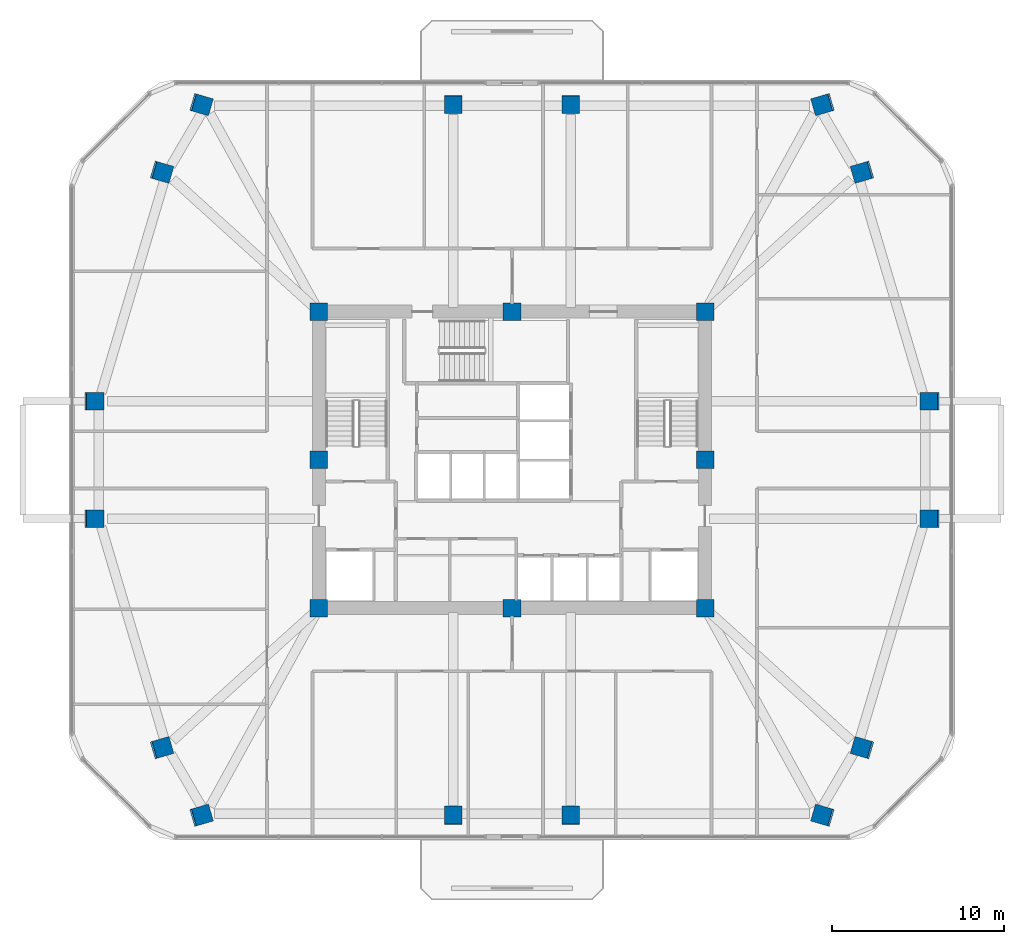
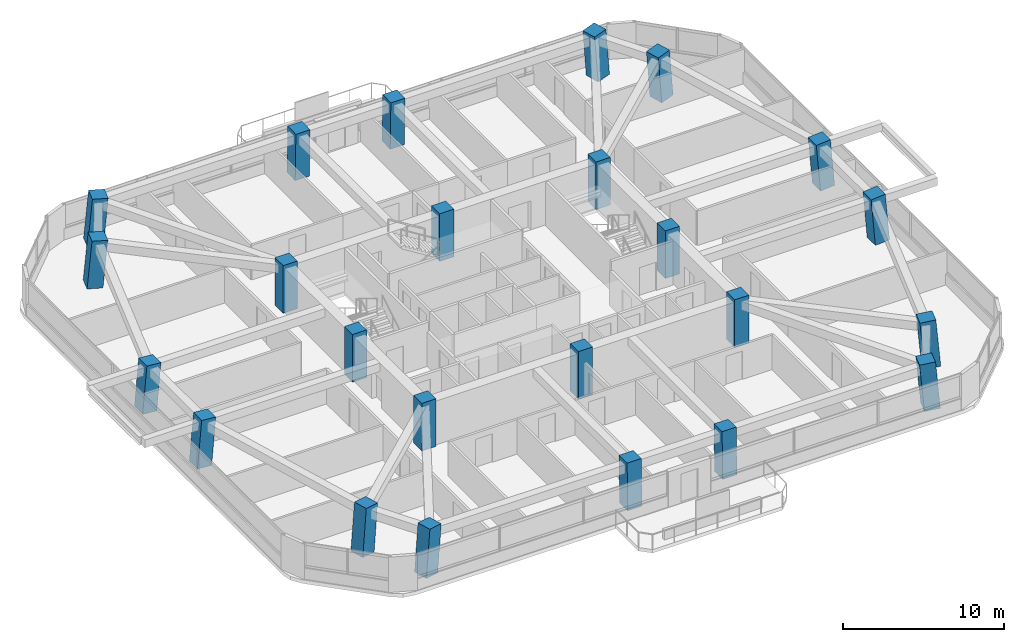
# One storey, part 1 of 13: 24 columns.
"""IFC4 building model written with IfcOpenShell, lengths in metres."""

import ifcopenshell
import ifcopenshell.guid

model = None  # the IFC model being written
_history = None  # IfcOwnerHistory: only IFC2X3 demands one
_inside = {}  # id of a spatial element -> (the spatial element, [elements in it])
_under = {}  # id of a project, library or spatial element -> (it, [spatial elements below it])
_declared = {}  # id of a project -> (the project, [libraries it declares])
_typed = {}  # id of a type object -> (the type object, [elements of that type])
_made_of = {}  # id of a material, layer set ... -> (it, [elements and type objects made of it])


def new_model(schema):
    """Start an empty IFC model of exactly this schema.

    Asked for "IFC4X3", IfcOpenShell would pick the latest addendum, in which some entities
    have other attributes; the version numbers below select the first issue.
    IFC2X3 requires an IfcOwnerHistory on every rooted entity: one is made here for all.
    """
    global model, _history
    if schema == "IFC4X3":
        model = ifcopenshell.file(schema_version=(4, 3, 0, 0))
    else:
        model = ifcopenshell.file(schema=schema)
    _inside.clear()
    _under.clear()
    _declared.clear()
    _typed.clear()
    _made_of.clear()
    _history = None
    if model.schema == "IFC2X3":
        org = make("IfcOrganization", Name="unknown")
        user = make(
            "IfcPersonAndOrganization",
            ThePerson=make("IfcPerson", FamilyName="unknown"),
            TheOrganization=org,
        )
        app = make(
            "IfcApplication",
            ApplicationDeveloper=org,
            Version="unknown",
            ApplicationFullName="unknown",
            ApplicationIdentifier="unknown",
        )
        _history = make(
            "IfcOwnerHistory",
            OwningUser=user,
            OwningApplication=app,
            ChangeAction="ADDED",
            CreationDate=0,
        )
    return model


def make(cls, **values):
    """One entity of the class cls with the attributes given. An attribute that is None is left unset."""
    return model.create_entity(
        cls, **{name: value for name, value in values.items() if value is not None}
    )


def rooted(cls, **values):
    """An entity with a GlobalId (a new one), such as an element, a storey or a relation."""
    return make(cls, GlobalId=ifcopenshell.guid.new(), OwnerHistory=_history, **values)


def si_unit(unit_type, name, prefix=None):
    """IfcSIUnit, for example si_unit("LENGTHUNIT", "METRE", prefix="MILLI")."""
    return make("IfcSIUnit", UnitType=unit_type, Prefix=prefix, Name=name)


def derived_unit(unit_type, elements):
    """IfcDerivedUnit: a product of units, each with its exponent."""
    return make(
        "IfcDerivedUnit",
        Elements=[
            make("IfcDerivedUnitElement", Unit=unit, Exponent=power)
            for unit, power in elements
        ],
        UnitType=unit_type,
    )


def assignment(units):
    """IfcUnitAssignment: the units of a project."""
    return None if units is None else make("IfcUnitAssignment", Units=units)


def point(xyz):
    """IfcCartesianPoint."""
    return None if xyz is None else make("IfcCartesianPoint", Coordinates=xyz)


def direction(xyz):
    """IfcDirection."""
    return None if xyz is None else make("IfcDirection", DirectionRatios=xyz)


def frame(location, z_axis=None, x_axis=None):
    """IfcAxis2Placement3D, a coordinate frame: its origin and axes. An axis left out is left unset."""
    return make(
        "IfcAxis2Placement3D",
        Location=point(location),
        Axis=direction(z_axis),
        RefDirection=direction(x_axis),
    )


def frame_2d(location, x_axis=None):
    """IfcAxis2Placement2D, a coordinate frame in the plane: its origin and x axis."""
    return make(
        "IfcAxis2Placement2D", Location=point(location), RefDirection=direction(x_axis)
    )


def origin():
    """The frame at (0, 0, 0) with its axes left unset."""
    return frame((0.0, 0.0, 0.0))


def origin_2d():
    """The frame at (0, 0) in the plane with its x axis left unset."""
    return frame_2d((0.0, 0.0))


def place(relative_to, where):
    """IfcLocalPlacement: puts the frame where relative to a parent placement (None: the world)."""
    return make(
        "IfcLocalPlacement", PlacementRelTo=relative_to, RelativePlacement=where
    )


def context(
    kind, dimensions, precision=None, world=None, true_north=None, identifier=None
):
    """IfcGeometricRepresentationContext, for example the 3D "Model" context."""
    return make(
        "IfcGeometricRepresentationContext",
        ContextIdentifier=identifier,
        ContextType=kind,
        CoordinateSpaceDimension=dimensions,
        Precision=precision,
        WorldCoordinateSystem=world,
        TrueNorth=true_north,
    )


def subcontext(parent, identifier, kind, view, scale=None):
    """IfcGeometricRepresentationSubContext, for example "Body" below "Model"."""
    return make(
        "IfcGeometricRepresentationSubContext",
        ContextIdentifier=identifier,
        ContextType=kind,
        ParentContext=parent,
        TargetScale=scale,
        TargetView=view,
    )


def project(units=None, contexts=None):
    """IfcProject with its units and contexts."""
    return rooted(
        "IfcProject",
        Name="project",
        RepresentationContexts=contexts,
        UnitsInContext=assignment(units),
    )


def spatial(cls, under=None, at=None, **own):
    """A site, building, storey or space (cls), placed at a placement, below another one or the project."""
    s = rooted(cls, ObjectPlacement=at, **own)
    if under is not None:
        _under.setdefault(under.id(), (under, []))[1].append(s)
    return s


def profile(cls, at=None, kind="AREA", **sizes):
    """A parametric profile (cls). Its sizes go by their IFC names, for example OverallWidth=200.0."""
    return make(cls, ProfileType=kind, Position=at, **sizes)


def rectangle(**sizes):
    """IfcRectangleProfileDef."""
    return profile("IfcRectangleProfileDef", **sizes)


def extrude(swept, where, along, depth):
    """IfcExtrudedAreaSolid: the profile swept, set in the frame where, extruded along a direction by depth."""
    return make(
        "IfcExtrudedAreaSolid",
        SweptArea=swept,
        Position=where,
        ExtrudedDirection=direction(along),
        Depth=depth,
    )


def shape(context_of_items, identifier, shape_type, items):
    """IfcShapeRepresentation: the items that make up one representation, for example the "Body"."""
    return make(
        "IfcShapeRepresentation",
        ContextOfItems=context_of_items,
        RepresentationIdentifier=identifier,
        RepresentationType=shape_type,
        Items=items,
    )


def material(Name=None, Category=None):
    """IfcMaterial."""
    return make("IfcMaterial", Name=Name, Category=Category)


def material_profile(
    of_material, cross_section, Name=None, Category=None, Priority=None
):
    """IfcMaterialProfile: a cross section and its material."""
    return make(
        "IfcMaterialProfile",
        Name=Name,
        Material=of_material,
        Profile=cross_section,
        Priority=Priority,
        Category=Category,
    )


def profile_set(profiles, Name=None, composite=None):
    """IfcMaterialProfileSet."""
    return make(
        "IfcMaterialProfileSet",
        Name=Name,
        MaterialProfiles=profiles,
        CompositeProfile=composite,
    )


def made_of(thing, what):
    """Note that an element or type object is made of a material, layer set ...; save() writes the relation."""
    if what is not None:
        _made_of.setdefault(what.id(), (what, []))[1].append(thing)
    return thing


def type_object(cls, material=None, **own):
    """A type object (cls), such as IfcWallType, which elements share."""
    return made_of(rooted(cls, **own), material)


def element(
    cls,
    number,
    at=None,
    inside=None,
    cuts=None,
    type_object=None,
    material=None,
    context=None,
    identifier="Body",
    shape_type=None,
    held_by="IfcProductDefinitionShape",
    body=None,
    shapes=None,
    **own,
):
    """One element of the class cls, such as IfcWall. Its Tag is "e" and its number.

    at: its placement. inside: the storey or other place that contains it. cuts: it is an
    opening in that element (IfcRelVoidsElement). A single representation is given by context,
    identifier, shape_type and body (its items); several are given by shapes. held_by: the class
    of the entity that holds the representations. save() writes the other relations.
    """
    e = rooted(cls, Tag="e%d" % number, ObjectPlacement=at, **own)
    if body is not None:
        shapes = [shape(context, identifier, shape_type, body)]
    if shapes is not None:
        e.Representation = make(held_by, Representations=shapes)
    if inside is not None:
        _inside.setdefault(inside.id(), (inside, []))[1].append(e)
    if cuts is not None:
        rooted(
            "IfcRelVoidsElement", RelatingBuildingElement=cuts, RelatedOpeningElement=e
        )
    if type_object is not None:
        _typed.setdefault(type_object.id(), (type_object, []))[1].append(e)
    return made_of(e, material)


def aggregate(whole, parts):
    """IfcRelAggregates: a whole, such as a stair, and the parts it consists of."""
    return rooted("IfcRelAggregates", RelatingObject=whole, RelatedObjects=parts)


def save(model, path):
    """Write the relations noted so far, then the file.

    IfcRelAggregates (storeys below a building ...), IfcRelContainedInSpatialStructure (elements
    in a storey), IfcRelDefinesByType, IfcRelAssociatesMaterial and IfcRelDeclares: one each for
    every whole, place, type object, material and project.
    """
    for whole, parts in _under.values():
        aggregate(whole, parts)
    for where, things in _inside.values():
        rooted(
            "IfcRelContainedInSpatialStructure",
            RelatedElements=things,
            RelatingStructure=where,
        )
    for kind, things in _typed.values():
        rooted("IfcRelDefinesByType", RelatedObjects=things, RelatingType=kind)
    for what, things in _made_of.values():
        rooted("IfcRelAssociatesMaterial", RelatedObjects=things, RelatingMaterial=what)
    for by, libraries in _declared.values():
        rooted("IfcRelDeclares", RelatingContext=by, RelatedDefinitions=libraries)
    model.write(path)


model = new_model("IFC4")

# Units and contexts
model_context = context("Model", 3, precision=1e-05, world=origin(), true_north=direction((0.0, 1.0)))
body_context = subcontext(model_context, "Body", "Model", "MODEL_VIEW")
ifc_project = project(units=[si_unit("LENGTHUNIT", "METRE"), si_unit("AREAUNIT", "SQUARE_METRE"), si_unit("VOLUMEUNIT", "CUBIC_METRE"), si_unit("PLANEANGLEUNIT", "RADIAN"), si_unit("MASSUNIT", "GRAM", prefix="KILO"), derived_unit("THERMALTRANSMITTANCEUNIT", [(si_unit("POWERUNIT", "WATT"), 1), (si_unit("LENGTHUNIT", "METRE"), -2), (si_unit("THERMODYNAMICTEMPERATUREUNIT", "KELVIN"), -1)])], contexts=[model_context])

# Site, building, storey
site_placement = place(None, origin())
site = spatial("IfcSite", under=ifc_project, at=site_placement, CompositionType="ELEMENT")
building_placement = place(site_placement, origin())
building = spatial("IfcBuilding", under=site, at=building_placement, Name="Koralith Skygarden Medical Center", CompositionType="ELEMENT")
storey_placement = place(building_placement, frame((0.0, 0.0, 102.780029296875)))
storey = spatial("IfcBuildingStorey", under=building, at=storey_placement, Name="L26", CompositionType="ELEMENT", Elevation=102.780029296875)

# Columns
ifc_material = material(Name="Concrete C70/85", Category="concrete")
ifc_material_profile_1 = material_profile(ifc_material, rectangle(XDim=1.02001953125, YDim=1.02001953125, at=origin_2d()), Name="RC1020X1020")
ifc_profile_set_1 = profile_set([ifc_material_profile_1], Name="Concrete C70/85")
column_type_1 = type_object("IfcColumnType", Name="Core Mega-Column C70 RC1020", PredefinedType="COLUMN", material=ifc_profile_set_1)
for number, where, z_axis, x_axis, name in (
    (1, (25.800048828125, 17.300048828125, 0.0), (0.0, 0.0, 1.0), (1.0, 0.0, 0.0), "L26 Core Column CC-01"),
    (2, (37.0, 17.300048828125, 0.0), (0.0, 0.0, 1.0), (1.0, 0.0, 0.0), "L26 Core Column CC-02"),
    (3, (48.199951171875, 17.300048828125, 0.0), (0.0, 0.0, 1.0), (1.0, 0.0, 0.0), "L26 Core Column CC-03"),
    (4, (48.199951171875, 25.89990234375, 0.0), (0.0, 0.0, 1.0), (1.0, 0.0, 0.0), "L26 Core Column CC-04"),
    (5, (48.199951171875, 34.5, 0.0), (0.0, 0.0, 1.0), (1.0, 0.0, 0.0), "L26 Core Column CC-05"),
    (6, (37.0, 34.5, 0.0), (0.0, 0.0, 1.0), (1.0, 0.0, 0.0), "L26 Core Column CC-06"),
    (7, (25.800048828125, 34.5, 0.0), (0.0, 0.0, 1.0), (1.0, 0.0, 0.0), "L26 Core Column CC-07"),
    (8, (25.800048828125, 25.89990234375, 0.0), (0.0, 0.0, 1.0), (1.0, 0.0, 0.0), "L26 Core Column CC-08"),
):
    element("IfcColumn", number, at=place(storey_placement, frame(where, z_axis=z_axis, x_axis=x_axis)), inside=storey, type_object=column_type_1, Name=name, PredefinedType="COLUMN", context=body_context, shape_type="SweptSolid", body=[
        extrude(rectangle(XDim=1.02001953125, YDim=1.02001953125, at=origin_2d()), origin(), (0.0, 0.0, 1.0), 3.599853515625),
    ])
ifc_material_profile_2 = material_profile(ifc_material, rectangle(XDim=1.02001953125, YDim=1.02001953125, at=origin_2d()), Name="RC1020X1020")
ifc_profile_set_2 = profile_set([ifc_material_profile_2], Name="Concrete C70/85")
column_type_2 = type_object("IfcColumnType", Name="Zone 2 Waist-In Mega-Column C70 RC1020", PredefinedType="COLUMN", material=ifc_profile_set_2)
column_1_placement = place(storey_placement, frame((12.72900390625, 22.5, 0.02099609375), z_axis=(0.084850379912, 0.0, 0.996393703828), x_axis=(0.0, 1.0, 0.0)))
element("IfcColumn", 9, at=column_1_placement, inside=storey, type_object=column_type_2, Name="L26 Perimeter Mega-Column MC-01", PredefinedType="COLUMN", context=body_context, shape_type="SweptSolid", body=[
    extrude(rectangle(XDim=1.02001953125, YDim=1.02001953125, at=origin_2d()), origin(), (0.0, 0.0, 1.0), 3.57080078125),
])
for number, where, z_axis, x_axis, name in (
    (10, (16.64892578125, 9.194091796875, 0.02099609375), (0.084824114217, 0.024879917466, 0.99608526711), (-0.281454582132, 0.95957455062, 0.0), "L26 Perimeter Mega-Column MC-02"),
    (11, (18.94091796875, 5.27392578125, 0.02099609375), (0.084553095898, 0.024675559919, 0.996113392499), (-0.280148995539, 0.959956530421, 0.0), "L26 Perimeter Mega-Column MC-03"),
):
    element("IfcColumn", number, at=place(storey_placement, frame(where, z_axis=z_axis, x_axis=x_axis)), inside=storey, type_object=column_type_2, Name=name, PredefinedType="COLUMN", context=body_context, shape_type="SweptSolid", body=[
        extrude(rectangle(XDim=1.02001953125, YDim=1.02001953125, at=origin_2d()), origin(), (0.0, 0.0, 1.0), 3.57177734375),
    ])
for number, where, z_axis, x_axis, name in (
    (12, (33.60009765625, 5.27392578125, 0.02099609375), (0.0, 0.024764241283, 0.99969331915), (-1.0, 0.0, 0.0), "L26 Perimeter Mega-Column MC-04"),
    (13, (40.39990234375, 5.27392578125, 0.02099609375), (0.0, 0.024764241283, 0.99969331915), (-1.0, 0.0, 0.0), "L26 Perimeter Mega-Column MC-05"),
):
    element("IfcColumn", number, at=place(storey_placement, frame(where, z_axis=z_axis, x_axis=x_axis)), inside=storey, type_object=column_type_2, Name=name, PredefinedType="COLUMN", context=body_context, shape_type="SweptSolid", body=[
        extrude(rectangle(XDim=1.02001953125, YDim=1.02001953125, at=origin_2d()), origin(), (0.0, 0.0, 1.0), 3.558837890625),
    ])
for number, where, z_axis, x_axis, name in (
    (14, (55.05908203125, 5.27392578125, 0.02099609375), (-0.084553095898, 0.024675559919, 0.996113392499), (-0.280148995539, -0.959956530421, 0.0), "L26 Perimeter Mega-Column MC-06"),
    (15, (57.35107421875, 9.194091796875, 0.02099609375), (-0.084824114217, 0.024879917466, 0.99608526711), (-0.281454582132, -0.95957455062, 0.0), "L26 Perimeter Mega-Column MC-07"),
):
    element("IfcColumn", number, at=place(storey_placement, frame(where, z_axis=z_axis, x_axis=x_axis)), inside=storey, type_object=column_type_2, Name=name, PredefinedType="COLUMN", context=body_context, shape_type="SweptSolid", body=[
        extrude(rectangle(XDim=1.02001953125, YDim=1.02001953125, at=origin_2d()), origin(), (0.0, 0.0, 1.0), 3.57177734375),
    ])
for number, where, z_axis, x_axis, name in (
    (16, (61.27099609375, 22.5, 0.02099609375), (-0.084850379912, 0.0, 0.996393703828), (0.0, -1.0, 0.0), "L26 Perimeter Mega-Column MC-08"),
    (17, (61.27099609375, 29.300048828125, 0.02099609375), (-0.084850379912, 0.0, 0.996393703828), (0.0, -1.0, 0.0), "L26 Perimeter Mega-Column MC-09"),
):
    element("IfcColumn", number, at=place(storey_placement, frame(where, z_axis=z_axis, x_axis=x_axis)), inside=storey, type_object=column_type_2, Name=name, PredefinedType="COLUMN", context=body_context, shape_type="SweptSolid", body=[
        extrude(rectangle(XDim=1.02001953125, YDim=1.02001953125, at=origin_2d()), origin(), (0.0, 0.0, 1.0), 3.57080078125),
    ])
for number, where, z_axis, x_axis, name in (
    (18, (57.35107421875, 42.60595703125, 0.02099609375), (-0.084824114217, -0.024879917466, 0.99608526711), (0.281454582132, -0.95957455062, 0.0), "L26 Perimeter Mega-Column MC-10"),
    (19, (55.05908203125, 46.52587890625, 0.02099609375), (-0.084553238313, -0.024607248013, 0.996115070279), (0.279433632452, -0.960165009285, 0.0), "L26 Perimeter Mega-Column MC-11"),
):
    element("IfcColumn", number, at=place(storey_placement, frame(where, z_axis=z_axis, x_axis=x_axis)), inside=storey, type_object=column_type_2, Name=name, PredefinedType="COLUMN", context=body_context, shape_type="SweptSolid", body=[
        extrude(rectangle(XDim=1.02001953125, YDim=1.02001953125, at=origin_2d()), origin(), (0.0, 0.0, 1.0), 3.57177734375),
    ])
for number, where, z_axis, x_axis, name in (
    (20, (40.39990234375, 46.52587890625, 0.02099609375), (0.0, -0.024695684171, 0.999695015084), (1.0, 0.0, 0.0), "L26 Perimeter Mega-Column MC-12"),
    (21, (33.60009765625, 46.52587890625, 0.02099609375), (0.0, -0.024695684171, 0.999695015084), (1.0, 0.0, 0.0), "L26 Perimeter Mega-Column MC-13"),
):
    element("IfcColumn", number, at=place(storey_placement, frame(where, z_axis=z_axis, x_axis=x_axis)), inside=storey, type_object=column_type_2, Name=name, PredefinedType="COLUMN", context=body_context, shape_type="SweptSolid", body=[
        extrude(rectangle(XDim=1.02001953125, YDim=1.02001953125, at=origin_2d()), origin(), (0.0, 0.0, 1.0), 3.558837890625),
    ])
for number, where, z_axis, x_axis, name in (
    (22, (18.94091796875, 46.52587890625, 0.02099609375), (0.084553238313, -0.024607248013, 0.996115070279), (0.279433632452, 0.960165009285, 0.0), "L26 Perimeter Mega-Column MC-14"),
    (23, (16.64892578125, 42.60595703125, 0.02099609375), (0.084824114217, -0.024879917466, 0.99608526711), (0.281454582132, 0.95957455062, 0.0), "L26 Perimeter Mega-Column MC-15"),
):
    element("IfcColumn", number, at=place(storey_placement, frame(where, z_axis=z_axis, x_axis=x_axis)), inside=storey, type_object=column_type_2, Name=name, PredefinedType="COLUMN", context=body_context, shape_type="SweptSolid", body=[
        extrude(rectangle(XDim=1.02001953125, YDim=1.02001953125, at=origin_2d()), origin(), (0.0, 0.0, 1.0), 3.57177734375),
    ])
column_2_placement = place(storey_placement, frame((12.72900390625, 29.300048828125, 0.02099609375), z_axis=(0.084850379912, 0.0, 0.996393703828), x_axis=(0.0, 1.0, 0.0)))
element("IfcColumn", 24, at=column_2_placement, inside=storey, type_object=column_type_2, Name="L26 Perimeter Mega-Column MC-16", PredefinedType="COLUMN", context=body_context, shape_type="SweptSolid", body=[
    extrude(rectangle(XDim=1.02001953125, YDim=1.02001953125, at=origin_2d()), origin(), (0.0, 0.0, 1.0), 3.57080078125),
])

save(model, "model.ifc")
